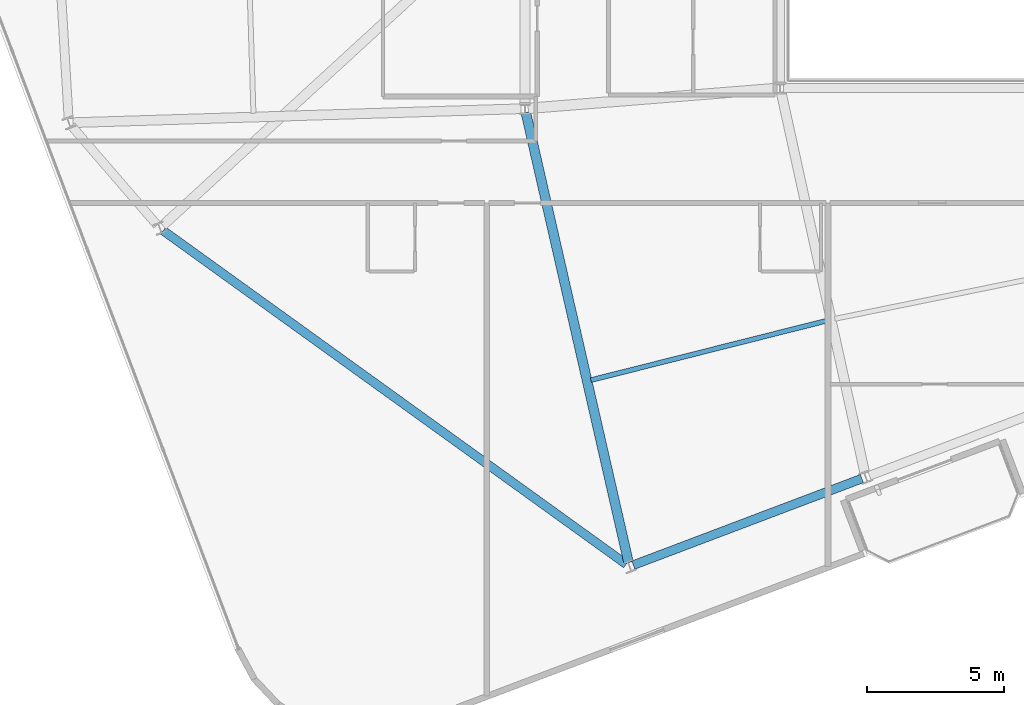
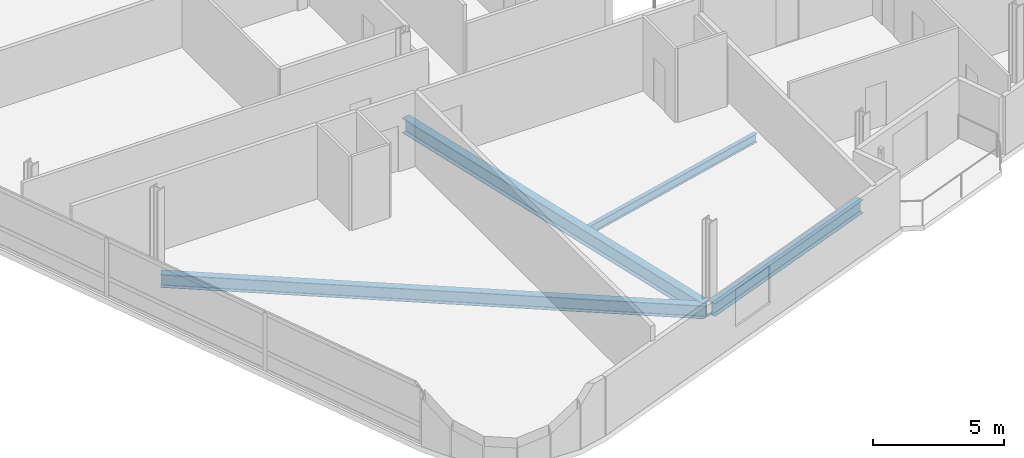
# One storey, part 4 of 19: 4 beams.
"""IFC4 building model written with IfcOpenShell, lengths in metres."""

from ifc_helpers import new_model, si_unit, direction, frame, origin, origin_2d, place, context, subcontext, project, spatial, i_section, extrude, material, material_profile, profile_set, type_object, element, save


model = new_model("IFC4")

# Units and contexts
model_context = context("Model", 3, precision=1e-05, world=origin(), true_north=direction((0.0, 1.0)))
body_context = subcontext(model_context, "Body", "Model", "MODEL_VIEW")
ifc_project = project(units=[si_unit("LENGTHUNIT", "METRE"), si_unit("AREAUNIT", "SQUARE_METRE"), si_unit("VOLUMEUNIT", "CUBIC_METRE"), si_unit("PLANEANGLEUNIT", "RADIAN"), si_unit("MASSUNIT", "GRAM", prefix="KILO")], contexts=[model_context])

# Site, building, storey
site_placement = place(None, origin())
site = spatial("IfcSite", under=ifc_project, at=site_placement, CompositionType="ELEMENT")
building_placement = place(site_placement, origin())
building = spatial("IfcBuilding", under=site, at=building_placement, Name="Varnelok Gate Tower", CompositionType="ELEMENT")
storey_placement = place(building_placement, frame((0.0, 0.0, 231.199951171875)))
storey = spatial("IfcBuildingStorey", under=building, at=storey_placement, Name="L59", CompositionType="ELEMENT", Elevation=231.199951171875)

# Beams
ifc_material = material(Name="Structural Steel ASTM A992 Grade 50", Category="steel")
ifc_material_profile_1 = material_profile(ifc_material, i_section(OverallWidth=0.180908203125, OverallDepth=0.4169921875, WebThickness=0.010986328125, FlangeThickness=0.018310546875, FilletRadius=0.013916015625, at=origin_2d()), Name="W16X57")
ifc_profile_set_1 = profile_set([ifc_material_profile_1], Name="Structural Steel ASTM A992 Grade 50")
beam_type_1 = type_object("IfcBeamType", Name="BM-JST-W16X57", PredefinedType="JOIST", material=ifc_profile_set_1)
beam_1_placement = place(storey_placement, frame((26.81396484375, 8.85498046875, -0.45849609375), z_axis=(0.969661559302, 0.244451345695, 0.0), x_axis=(-0.244451345695, 0.969661559302, 0.0)))
element("IfcBeam", 1, at=beam_1_placement, inside=storey, type_object=beam_type_1, Name="L59 Sector Floor Joist 1", PredefinedType="JOIST", context=body_context, shape_type="SweptSolid", body=[
    extrude(i_section(OverallWidth=0.180908203125, OverallDepth=0.4169921875, WebThickness=0.010986328125, FlangeThickness=0.018310546875, FilletRadius=0.013916015625, at=origin_2d()), origin(), (0.0, 0.0, 1.0), 8.93359375),
])
ifc_material_profile_2 = material_profile(ifc_material, i_section(OverallWidth=0.35498046875, OverallDepth=0.696044921875, WebThickness=0.015380859375, FlangeThickness=0.02490234375, FilletRadius=0.02001953125, at=origin_2d()), Name="W27X146")
ifc_profile_set_2 = profile_set([ifc_material_profile_2], Name="Structural Steel ASTM A992 Grade 50")
beam_type_2 = type_object("IfcBeamType", Name="BM-PRI-W27X146", PredefinedType="BEAM", material=ifc_profile_set_2)
beam_2_placement = place(storey_placement, frame((24.433349609375, 18.65380859375, -0.597900390625), z_axis=(0.222569880735, -0.974916739106, 0.0), x_axis=(0.974916739106, 0.222569880735, 0.0)))
element("IfcBeam", 2, at=beam_2_placement, inside=storey, type_object=beam_type_2, Name="L59 Radial Floor Girder 1", PredefinedType="BEAM", context=body_context, shape_type="SweptSolid", body=[
    extrude(i_section(OverallWidth=0.35498046875, OverallDepth=0.696044921875, WebThickness=0.015380859375, FlangeThickness=0.02490234375, FilletRadius=0.02001953125, at=origin_2d()), origin(), (0.0, 0.0, 1.0), 16.903564453125),
])
ifc_material_profile_3 = material_profile(ifc_material, i_section(OverallWidth=0.323974609375, OverallDepth=0.611083984375, WebThickness=0.0126953125, FlangeThickness=0.01904296875, FilletRadius=0.01806640625, at=origin_2d()), Name="W24X104")
ifc_profile_set_3 = profile_set([ifc_material_profile_3], Name="Structural Steel ASTM A992 Grade 50")
beam_type_3 = type_object("IfcBeamType", Name="BM-SPN-W24X104", PredefinedType="SPANDREL", material=ifc_profile_set_3)
beam_3_placement = place(storey_placement, frame((28.369384765625, 2.081298828125, -0.555419921875), z_axis=(0.935225969099, 0.354051389947, 0.0), x_axis=(-0.354051389947, 0.935225969099, 0.0)))
element("IfcBeam", 3, at=beam_3_placement, inside=storey, type_object=beam_type_3, Name="L59 Perimeter Spandrel Beam 1", PredefinedType="SPANDREL", context=body_context, shape_type="SweptSolid", body=[
    extrude(i_section(OverallWidth=0.323974609375, OverallDepth=0.611083984375, WebThickness=0.0126953125, FlangeThickness=0.01904296875, FilletRadius=0.01806640625, at=origin_2d()), origin(), (0.0, 0.0, 1.0), 8.949951171875),
])
beam_4_placement = place(storey_placement, frame((11.148681640625, 14.33251953125, -0.555419921875), z_axis=(0.811386760244, -0.584509645173, 0.0), x_axis=(0.584509645173, 0.811386760244, 0.0)))
element("IfcBeam", 4, at=beam_4_placement, inside=storey, type_object=beam_type_3, Name="L59 Perimeter Spandrel Beam 16", PredefinedType="SPANDREL", context=body_context, shape_type="SweptSolid", body=[
    extrude(i_section(OverallWidth=0.323974609375, OverallDepth=0.611083984375, WebThickness=0.0126953125, FlangeThickness=0.01904296875, FilletRadius=0.01806640625, at=origin_2d()), origin(), (0.0, 0.0, 1.0), 20.90087890625),
])

save(model, "model.ifc")
